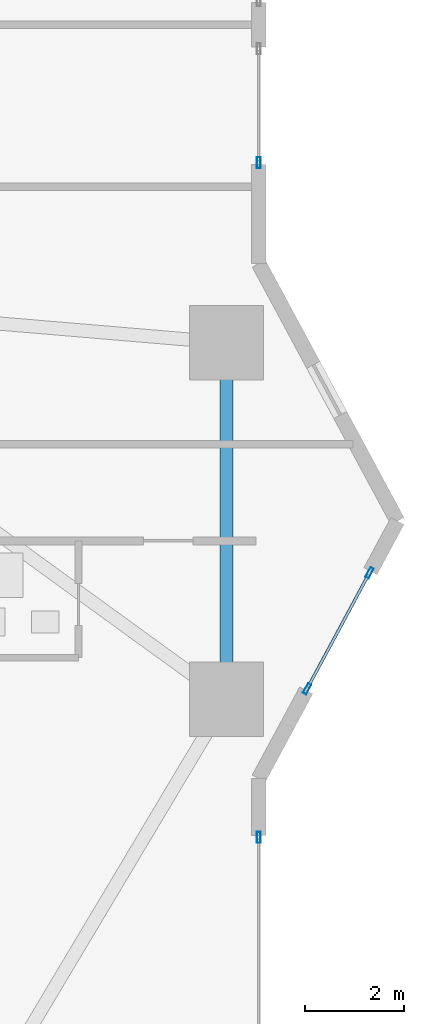
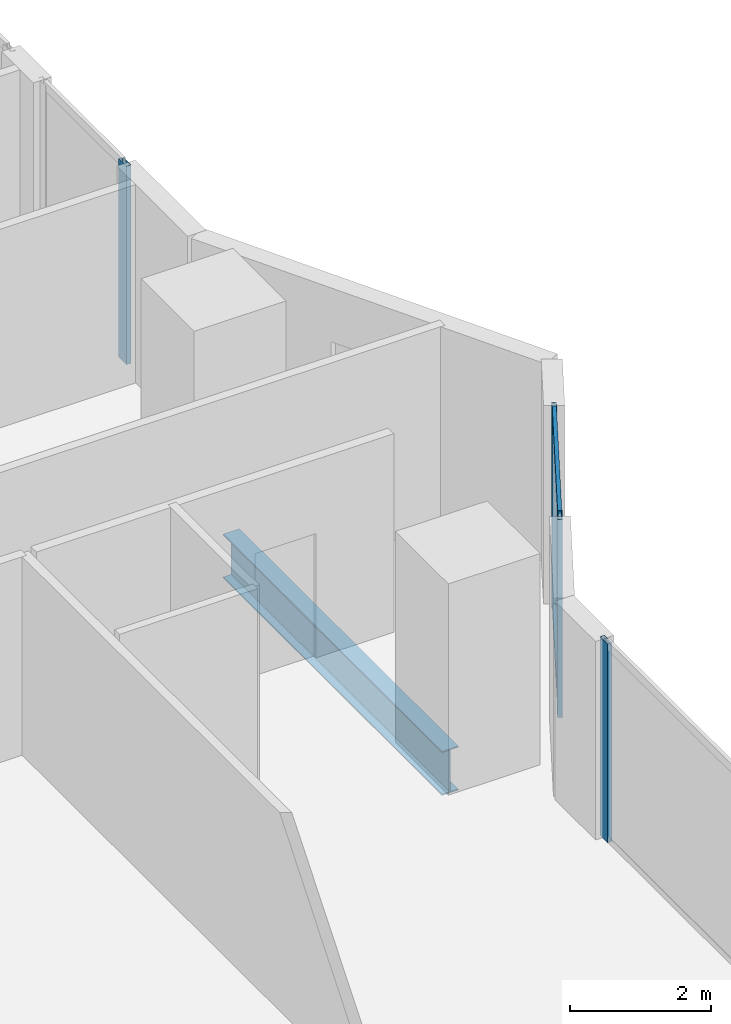
# One storey, part 12 of 29: 6 members, 1 beam, 3 elements without a shape of their own.
"""IFC4 building model written with IfcOpenShell, lengths in metres."""

from ifc_helpers import new_model, si_unit, direction, frame, origin, origin_2d, place, context, subcontext, project, spatial, hollow_rectangle, i_section, extrude, material, layer, layer_set, material_profile, profile_set, type_object, element, aggregate, save


model = new_model("IFC4")

# Units and contexts
model_context = context("Model", 3, precision=1e-05, world=origin(), true_north=direction((0.0, 1.0)))
body_context = subcontext(model_context, "Body", "Model", "MODEL_VIEW")
ifc_project = project(units=[si_unit("LENGTHUNIT", "METRE"), si_unit("AREAUNIT", "SQUARE_METRE"), si_unit("VOLUMEUNIT", "CUBIC_METRE"), si_unit("PLANEANGLEUNIT", "RADIAN"), si_unit("MASSUNIT", "GRAM", prefix="KILO")], contexts=[model_context])

# Site, building, storey
site_placement = place(None, origin())
site = spatial("IfcSite", under=ifc_project, at=site_placement, CompositionType="ELEMENT")
building_placement = place(site_placement, origin())
building = spatial("IfcBuilding", under=site, at=building_placement, Name="Zuhayl Quay Hotel", CompositionType="ELEMENT")
storey_placement = place(building_placement, frame((0.0, 0.0, 64.10009765625)))
storey = spatial("IfcBuildingStorey", under=building, at=storey_placement, Name="L15", CompositionType="ELEMENT", Elevation=64.10009765625)

# Beam
ifc_material_1 = material(Name="Steel ASTM A992 Grade 50", Category="steel")
ifc_material_profile_1 = material_profile(ifc_material_1, i_section(OverallWidth=0.26708984375, OverallDepth=0.761962890625, WebThickness=0.014404296875, FlangeThickness=0.021484375, at=origin_2d()), Name="W30X116")
ifc_profile_set_1 = profile_set([ifc_material_profile_1], Name="Steel ASTM A992 Grade 50")
beam_type = type_object("IfcBeamType", Name="BM_B1_W30X116", PredefinedType="BEAM", material=ifc_profile_set_1)
beam_placement = place(storey_placement, frame((25.050048828125, -3.10009765625, -0.60107421875), z_axis=(0.0, 1.0, 0.0), x_axis=(-1.0, 0.0, 0.0)))
element("IfcBeam", 1, at=beam_placement, inside=storey, type_object=beam_type, Name="L15 Floor Beam RG_L15_05", PredefinedType="BEAM", context=body_context, shape_type="SweptSolid", body=[
    extrude(i_section(OverallWidth=0.26708984375, OverallDepth=0.761962890625, WebThickness=0.014404296875, FlangeThickness=0.021484375, at=origin_2d()), origin(), (0.0, 0.0, 1.0), 6.2001953125),
])

# Curtain wall, member
ifc_material_2 = material(Name="Anodised Aluminium 6063-T6", Category="aluminium")
ifc_layer = layer(ifc_material_2, 0.18994140625, Name="Anodised Aluminium 6063-T6", Category="aluminium")
ifc_layer_set = layer_set([ifc_layer], Name="Anodised Aluminium 6063-T6")
curtain_wall_type = type_object("IfcCurtainWallType", Name="CW_SYS_Z1", PredefinedType="USERDEFINED", material=ifc_layer_set)
curtain_wall_1_placement = place(storey_placement, origin())
curtain_wall_1 = element("IfcCurtainWall", 2, at=curtain_wall_1_placement, inside=storey, type_object=curtain_wall_type, Name="L15 Curtain Wall ENV_L15_E11_CW2", ObjectType="UNITISED CURTAIN WALL", PredefinedType="USERDEFINED")
ifc_material_3 = material(Name="Black-anodised aluminium 6063-T6", Category="aluminium")
ifc_material_profile_2 = material_profile(ifc_material_3, hollow_rectangle(XDim=0.074951171875, YDim=0.219970703125, WallThickness=0.00390625, at=origin_2d()), Name="ALU220X75")
ifc_profile_set_2 = profile_set([ifc_material_profile_2], Name="Black-anodised aluminium 6063-T6")
member_type_1 = type_object("IfcMemberType", Name="MB_CW_MUL_220", PredefinedType="MULLION", material=ifc_profile_set_2)
member_1_placement = place(storey_placement, frame((25.699951171875, 7.237548828125, 0.0), z_axis=(0.0, 0.0, 1.0), x_axis=(1.0, 0.0, 0.0)))
member_1 = element("IfcMember", 3, at=member_1_placement, type_object=member_type_1, Name="CW-Z1 mullion 2", PredefinedType="MULLION", context=body_context, shape_type="SweptSolid", body=[
    extrude(hollow_rectangle(XDim=0.074951171875, YDim=0.219970703125, WallThickness=0.00390625, at=origin_2d()), origin(), (0.0, 0.0, 1.0), 3.429931640625),
])
aggregate(curtain_wall_1, [member_1])

# Curtain wall, members
curtain_wall_2_placement = place(storey_placement, origin())
curtain_wall_2 = element("IfcCurtainWall", 4, at=curtain_wall_2_placement, inside=storey, type_object=curtain_wall_type, Name="L15 Curtain Wall ENV_L15_E13_CW1", ObjectType="UNITISED CURTAIN WALL", PredefinedType="USERDEFINED")
member_2_placement = place(storey_placement, frame((27.93701171875, -1.04541015625, 0.0), z_axis=(0.0, 0.0, 1.0), x_axis=(0.880475795468, -0.474091102632, 0.0)))
member_2 = element("IfcMember", 5, at=member_2_placement, type_object=member_type_1, Name="CW-Z1 mullion 1", PredefinedType="MULLION", context=body_context, shape_type="SweptSolid", body=[
    extrude(hollow_rectangle(XDim=0.074951171875, YDim=0.219970703125, WallThickness=0.00390625, at=origin_2d()), origin(), (0.0, 0.0, 1.0), 3.429931640625),
])
member_3_placement = place(storey_placement, frame((26.67578125, -3.387939453125, 0.0), z_axis=(0.0, 0.0, 1.0), x_axis=(0.880475795468, -0.474091102632, 0.0)))
member_3 = element("IfcMember", 6, at=member_3_placement, type_object=member_type_1, Name="CW-Z1 mullion 2", PredefinedType="MULLION", context=body_context, shape_type="SweptSolid", body=[
    extrude(hollow_rectangle(XDim=0.074951171875, YDim=0.219970703125, WallThickness=0.00390625, at=origin_2d()), origin(), (0.0, 0.0, 1.0), 3.429931640625),
])

# Curtain wall, member
curtain_wall_3_placement = place(storey_placement, origin())
curtain_wall_3 = element("IfcCurtainWall", 7, at=curtain_wall_3_placement, inside=storey, type_object=curtain_wall_type, Name="L15 Curtain Wall ENV_L15_E14_CW1", ObjectType="UNITISED CURTAIN WALL", PredefinedType="USERDEFINED")
member_4_placement = place(storey_placement, frame((25.699951171875, -6.387451171875, 0.0), z_axis=(0.0, 0.0, 1.0), x_axis=(1.0, 0.0, 0.0)))
member_4 = element("IfcMember", 8, at=member_4_placement, type_object=member_type_1, Name="CW-Z1 mullion 1", PredefinedType="MULLION", context=body_context, shape_type="SweptSolid", body=[
    extrude(hollow_rectangle(XDim=0.074951171875, YDim=0.219970703125, WallThickness=0.00390625, at=origin_2d()), origin(), (0.0, 0.0, 1.0), 3.429931640625),
])
aggregate(curtain_wall_3, [member_4])

# Member
ifc_material_profile_3 = material_profile(ifc_material_3, hollow_rectangle(XDim=0.06005859375, YDim=0.14990234375, WallThickness=0.00341796875, at=origin_2d()), Name="ALU150X60")
ifc_profile_set_3 = profile_set([ifc_material_profile_3], Name="Black-anodised aluminium 6063-T6")
member_type_2 = type_object("IfcMemberType", Name="MB_CW_TRN_150", PredefinedType="USERDEFINED", material=ifc_profile_set_3)
member_5_placement = place(storey_placement, frame((27.919189453125, -1.07861328125, 0.02978515625), z_axis=(-0.474054771703, -0.880495356845, 0.0), x_axis=(0.880495356845, -0.474054771703, 0.0)))
member_5 = element("IfcMember", 9, at=member_5_placement, type_object=member_type_2, Name="CW-Z1 transom 1.1", ObjectType="TRANSOM", PredefinedType="USERDEFINED", context=body_context, shape_type="SweptSolid", body=[
    extrude(hollow_rectangle(XDim=0.06005859375, YDim=0.14990234375, WallThickness=0.00341796875, at=origin_2d()), origin(), (0.0, 0.0, 1.0), 2.585205078125),
])

member_6_placement = place(storey_placement, frame((27.919189453125, -1.07861328125, 3.39990234375), z_axis=(-0.474054771703, -0.880495356845, 0.0), x_axis=(0.880495356845, -0.474054771703, 0.0)))
member_6 = element("IfcMember", 10, at=member_6_placement, type_object=member_type_2, Name="CW-Z1 transom 1.2", ObjectType="TRANSOM", PredefinedType="USERDEFINED", context=body_context, shape_type="SweptSolid", body=[
    extrude(hollow_rectangle(XDim=0.06005859375, YDim=0.14990234375, WallThickness=0.00341796875, at=origin_2d()), origin(), (0.0, 0.0, 1.0), 2.585205078125),
])

aggregate(curtain_wall_2, [member_2, member_3, member_5, member_6])

save(model, "model.ifc")
